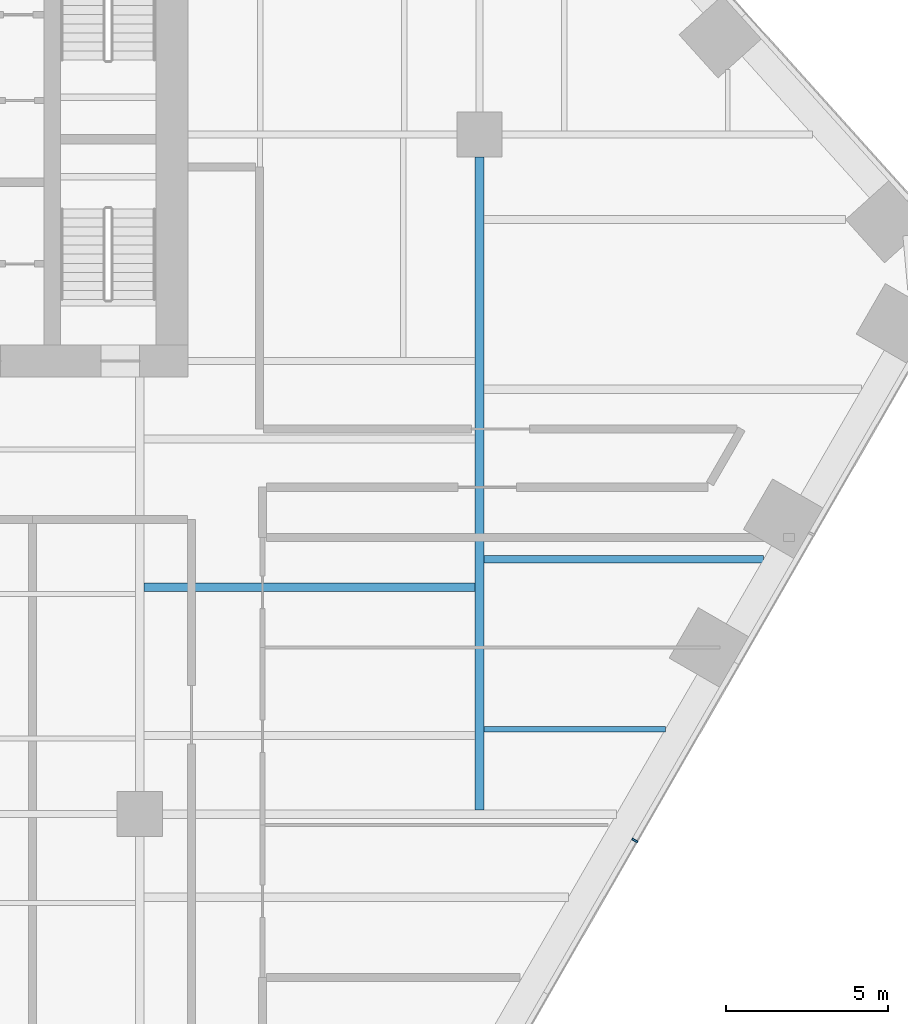
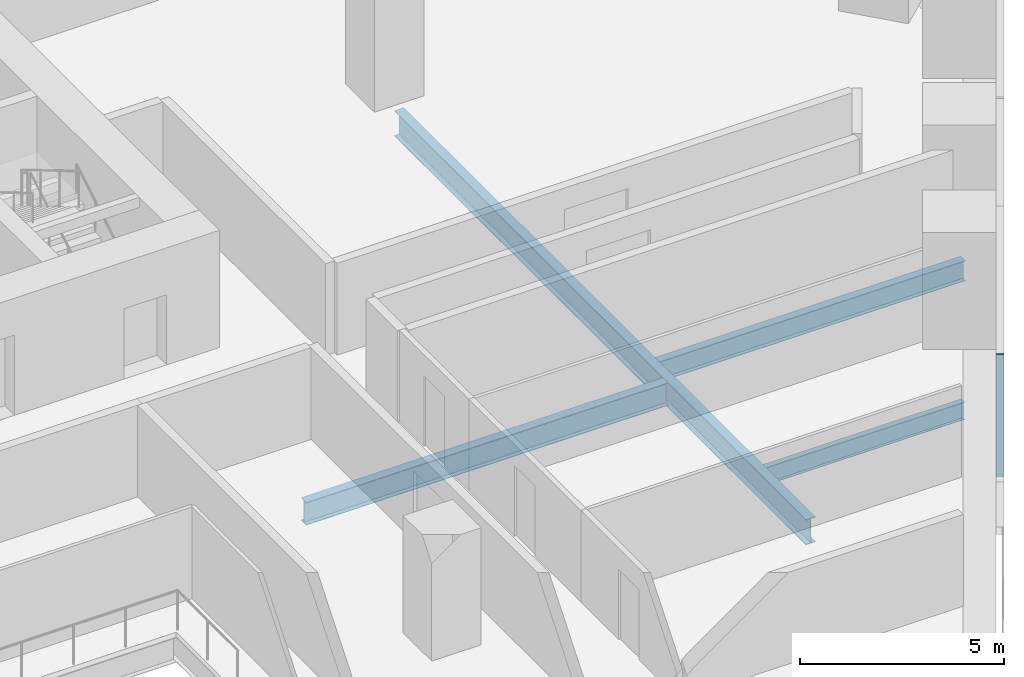
# One storey, part 7 of 20: 4 beams, 1 member, 1 element without a shape of its own.
"""IFC4 building model written with IfcOpenShell, lengths in metres."""

from ifc_helpers import new_model, si_unit, direction, frame, origin, origin_2d, place, context, subcontext, project, spatial, rectangle, i_section, extrude, material, layer, layer_set, material_profile, profile_set, type_object, element, aggregate, save


model = new_model("IFC4")

# Units and contexts
model_context = context("Model", 3, precision=1e-05, world=origin(), true_north=direction((0.0, 1.0)))
body_context = subcontext(model_context, "Body", "Model", "MODEL_VIEW")
ifc_project = project(units=[si_unit("LENGTHUNIT", "METRE"), si_unit("AREAUNIT", "SQUARE_METRE"), si_unit("VOLUMEUNIT", "CUBIC_METRE"), si_unit("PLANEANGLEUNIT", "RADIAN"), si_unit("MASSUNIT", "GRAM", prefix="KILO")], contexts=[model_context])

# Site, building, storey
site_placement = place(None, origin())
site = spatial("IfcSite", under=ifc_project, at=site_placement, CompositionType="ELEMENT")
building_placement = place(site_placement, origin())
building = spatial("IfcBuilding", under=site, at=building_placement, Name="Isthmus Gate Tower", CompositionType="ELEMENT")
storey_placement = place(building_placement, frame((0.0, 0.0, 57.89990234375)))
storey = spatial("IfcBuildingStorey", under=building, at=storey_placement, Name="L12", CompositionType="ELEMENT", Elevation=57.89990234375)

# Curtain wall, member
ifc_material_1 = material(Name="Aluminium, pale champagne anodised", Category="aluminium")
ifc_layer = layer(ifc_material_1, 0.199951171875)
ifc_layer_set = layer_set([ifc_layer], Name="CW-1 UNITISED CURTAIN WALL 200 DEEP")
curtain_wall_type = type_object("IfcCurtainWallType", Name="CW-1 UNITISED CURTAIN WALL 200 DEEP", PredefinedType="NOTDEFINED", material=ifc_layer_set)
curtain_wall_placement = place(storey_placement, origin())
curtain_wall = element("IfcCurtainWall", 1, at=curtain_wall_placement, inside=storey, type_object=curtain_wall_type, Name="CW-1 SE L12", PredefinedType="NOTDEFINED")
ifc_material_2 = material(Name="Aluminium, pale champagne anodised", Category="aluminium")
ifc_material_profile_1 = material_profile(ifc_material_2, rectangle(XDim=0.06005859375, YDim=0.199951171875, at=origin_2d()), Name="60x200")
ifc_profile_set_1 = profile_set([ifc_material_profile_1], Name="Aluminium, pale champagne anodised")
member_type = type_object("IfcMemberType", Name="CW-1 MULLION 60 X 200", PredefinedType="MULLION", material=ifc_profile_set_1)
member_placement = place(storey_placement, frame((28.802001953125, -14.3134765625, 0.0), z_axis=(0.0, 0.0, 1.0), x_axis=(0.5, 0.866025403784, 0.0)))
member = element("IfcMember", 2, at=member_placement, type_object=member_type, Name="CW-1 mullion", PredefinedType="MULLION", context=body_context, shape_type="SweptSolid", body=[
    extrude(rectangle(XDim=0.06005859375, YDim=0.199951171875, at=origin_2d()), origin(), (0.0, 0.0, 1.0), 3.650146484375),
])
aggregate(curtain_wall, [member])

# Beams
ifc_material_3 = material(Name="Structural steel ASTM A992 Gr 50", Category="steel")
ifc_material_profile_2 = material_profile(ifc_material_3, i_section(OverallWidth=0.1650390625, OverallDepth=0.52392578125, WebThickness=0.009521484375, FlangeThickness=0.010986328125, at=origin_2d()), Name="W21X44")
ifc_profile_set_2 = profile_set([ifc_material_profile_2], Name="Structural steel ASTM A992 Gr 50")
beam_type_1 = type_object("IfcBeamType", Name="STEEL FLOOR BEAM W21X44", PredefinedType="JOIST", material=ifc_profile_set_2)
beam_1_placement = place(storey_placement, frame((24.13330078125, -10.875, -0.411865234375), z_axis=(1.0, 0.0, 0.0), x_axis=(0.0, 1.0, 0.0)))
element("IfcBeam", 3, at=beam_1_placement, inside=storey, type_object=beam_type_1, Name="str-beam-L12-34-00", PredefinedType="JOIST", context=body_context, shape_type="SweptSolid", body=[
    extrude(i_section(OverallWidth=0.1650390625, OverallDepth=0.52392578125, WebThickness=0.009521484375, FlangeThickness=0.010986328125, at=origin_2d()), origin(), (0.0, 0.0, 1.0), 5.61474609375),
])
ifc_material_4 = material(Name="Structural steel ASTM A992 Gr 50", Category="steel")
ifc_material_profile_3 = material_profile(ifc_material_4, i_section(OverallWidth=0.228515625, OverallDepth=0.603271484375, WebThickness=0.010986328125, FlangeThickness=0.014404296875, at=origin_2d()), Name="W24X68")
ifc_profile_set_3 = profile_set([ifc_material_profile_3], Name="Structural steel ASTM A992 Gr 50")
beam_type_2 = type_object("IfcBeamType", Name="STEEL FLOOR BEAM W24X68", PredefinedType="JOIST", material=ifc_profile_set_3)
beam_2_placement = place(storey_placement, frame((24.13330078125, -5.625, -0.451416015625), z_axis=(1.0, 0.0, 0.0), x_axis=(0.0, 1.0, 0.0)))
element("IfcBeam", 4, at=beam_2_placement, inside=storey, type_object=beam_type_2, Name="str-beam-L12-34-01", PredefinedType="JOIST", context=body_context, shape_type="SweptSolid", body=[
    extrude(i_section(OverallWidth=0.228515625, OverallDepth=0.603271484375, WebThickness=0.010986328125, FlangeThickness=0.014404296875, at=origin_2d()), origin(), (0.0, 0.0, 1.0), 8.645751953125),
])
ifc_material_5 = material(Name="Structural steel ASTM A992 Gr 50", Category="steel")
ifc_material_profile_4 = material_profile(ifc_material_5, i_section(OverallWidth=0.25390625, OverallDepth=0.679443359375, WebThickness=0.010986328125, FlangeThickness=0.015869140625, at=origin_2d()), Name="W27X84")
ifc_profile_set_4 = profile_set([ifc_material_profile_4], Name="Structural steel ASTM A992 Gr 50")
beam_type_3 = type_object("IfcBeamType", Name="STEEL FLOOR BEAM W27X84", PredefinedType="JOIST", material=ifc_profile_set_4)
beam_3_placement = place(storey_placement, frame((13.6318359375, -6.490478515625, -0.489501953125), z_axis=(1.0, 0.0, 0.0), x_axis=(0.0, 1.0, 0.0)))
element("IfcBeam", 5, at=beam_3_placement, inside=storey, type_object=beam_type_3, Name="str-beam-L12-27-01", PredefinedType="JOIST", context=body_context, shape_type="SweptSolid", body=[
    extrude(i_section(OverallWidth=0.25390625, OverallDepth=0.679443359375, WebThickness=0.010986328125, FlangeThickness=0.015869140625, at=origin_2d()), origin(), (0.0, 0.0, 1.0), 10.23486328125),
])
ifc_material_6 = material(Name="Structural steel ASTM A992 Gr 50", Category="steel")
ifc_material_profile_5 = material_profile(ifc_material_6, i_section(OverallWidth=0.2666015625, OverallDepth=0.7587890625, WebThickness=0.014404296875, FlangeThickness=0.01904296875, at=origin_2d()), Name="W30X108")
ifc_profile_set_5 = profile_set([ifc_material_profile_5], Name="Structural steel ASTM A992 Gr 50")
beam_type_4 = type_object("IfcBeamType", Name="STEEL GIRDER W30X108", PredefinedType="BEAM", material=ifc_profile_set_5)
beam_4_placement = place(storey_placement, frame((24.0, -13.36669921875, -0.529296875), z_axis=(0.0, 1.0, 0.0), x_axis=(-1.0, 0.0, 0.0)))
element("IfcBeam", 6, at=beam_4_placement, inside=storey, type_object=beam_type_4, Name="str-girder-L12-35", PredefinedType="BEAM", context=body_context, shape_type="SweptSolid", body=[
    extrude(i_section(OverallWidth=0.2666015625, OverallDepth=0.7587890625, WebThickness=0.014404296875, FlangeThickness=0.01904296875, at=origin_2d()), origin(), (0.0, 0.0, 1.0), 20.166748046875),
])

save(model, "model.ifc")
